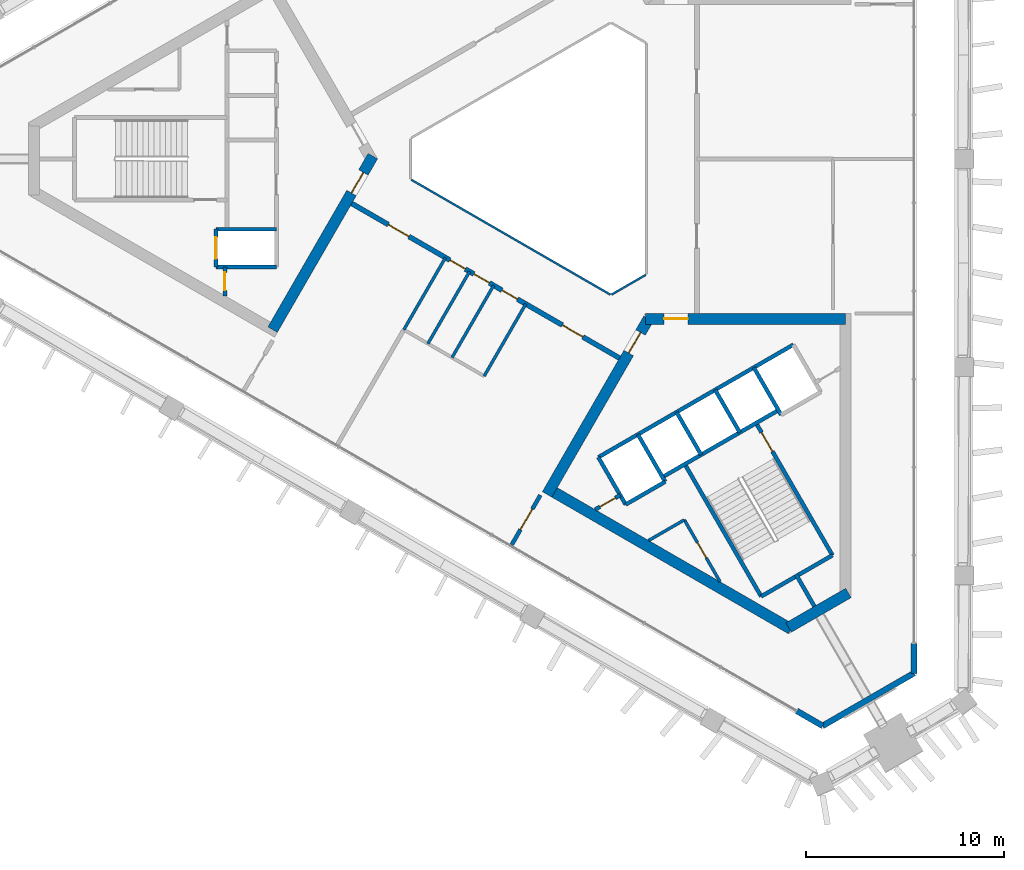
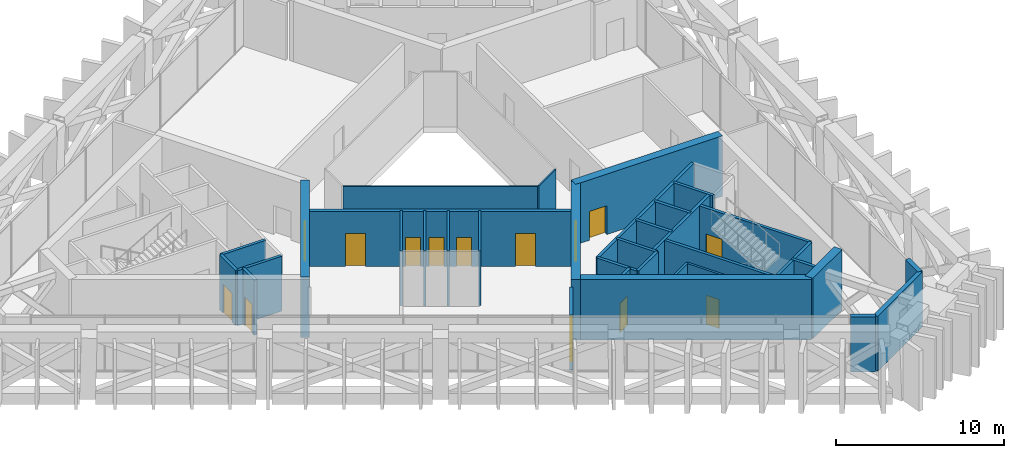
# One storey, part 10 of 15: 35 walls, 14 doors, 14 openings.
"""IFC4 building model written with IfcOpenShell, lengths in metres."""

import ifcopenshell
import ifcopenshell.guid

model = None  # the IFC model being written
_history = None  # IfcOwnerHistory: only IFC2X3 demands one
_inside = {}  # id of a spatial element -> (the spatial element, [elements in it])
_under = {}  # id of a project, library or spatial element -> (it, [spatial elements below it])
_declared = {}  # id of a project -> (the project, [libraries it declares])
_typed = {}  # id of a type object -> (the type object, [elements of that type])
_made_of = {}  # id of a material, layer set ... -> (it, [elements and type objects made of it])


def new_model(schema):
    """Start an empty IFC model of exactly this schema.

    Asked for "IFC4X3", IfcOpenShell would pick the latest addendum, in which some entities
    have other attributes; the version numbers below select the first issue.
    IFC2X3 requires an IfcOwnerHistory on every rooted entity: one is made here for all.
    """
    global model, _history
    if schema == "IFC4X3":
        model = ifcopenshell.file(schema_version=(4, 3, 0, 0))
    else:
        model = ifcopenshell.file(schema=schema)
    _inside.clear()
    _under.clear()
    _declared.clear()
    _typed.clear()
    _made_of.clear()
    _history = None
    if model.schema == "IFC2X3":
        org = make("IfcOrganization", Name="unknown")
        user = make(
            "IfcPersonAndOrganization",
            ThePerson=make("IfcPerson", FamilyName="unknown"),
            TheOrganization=org,
        )
        app = make(
            "IfcApplication",
            ApplicationDeveloper=org,
            Version="unknown",
            ApplicationFullName="unknown",
            ApplicationIdentifier="unknown",
        )
        _history = make(
            "IfcOwnerHistory",
            OwningUser=user,
            OwningApplication=app,
            ChangeAction="ADDED",
            CreationDate=0,
        )
    return model


def make(cls, **values):
    """One entity of the class cls with the attributes given. An attribute that is None is left unset."""
    return model.create_entity(
        cls, **{name: value for name, value in values.items() if value is not None}
    )


def rooted(cls, **values):
    """An entity with a GlobalId (a new one), such as an element, a storey or a relation."""
    return make(cls, GlobalId=ifcopenshell.guid.new(), OwnerHistory=_history, **values)


def si_unit(unit_type, name, prefix=None):
    """IfcSIUnit, for example si_unit("LENGTHUNIT", "METRE", prefix="MILLI")."""
    return make("IfcSIUnit", UnitType=unit_type, Prefix=prefix, Name=name)


def assignment(units):
    """IfcUnitAssignment: the units of a project."""
    return None if units is None else make("IfcUnitAssignment", Units=units)


def point(xyz):
    """IfcCartesianPoint."""
    return None if xyz is None else make("IfcCartesianPoint", Coordinates=xyz)


def direction(xyz):
    """IfcDirection."""
    return None if xyz is None else make("IfcDirection", DirectionRatios=xyz)


def frame(location, z_axis=None, x_axis=None):
    """IfcAxis2Placement3D, a coordinate frame: its origin and axes. An axis left out is left unset."""
    return make(
        "IfcAxis2Placement3D",
        Location=point(location),
        Axis=direction(z_axis),
        RefDirection=direction(x_axis),
    )


def frame_2d(location, x_axis=None):
    """IfcAxis2Placement2D, a coordinate frame in the plane: its origin and x axis."""
    return make(
        "IfcAxis2Placement2D", Location=point(location), RefDirection=direction(x_axis)
    )


def origin():
    """The frame at (0, 0, 0) with its axes left unset."""
    return frame((0.0, 0.0, 0.0))


def place(relative_to, where):
    """IfcLocalPlacement: puts the frame where relative to a parent placement (None: the world)."""
    return make(
        "IfcLocalPlacement", PlacementRelTo=relative_to, RelativePlacement=where
    )


def context(
    kind, dimensions, precision=None, world=None, true_north=None, identifier=None
):
    """IfcGeometricRepresentationContext, for example the 3D "Model" context."""
    return make(
        "IfcGeometricRepresentationContext",
        ContextIdentifier=identifier,
        ContextType=kind,
        CoordinateSpaceDimension=dimensions,
        Precision=precision,
        WorldCoordinateSystem=world,
        TrueNorth=true_north,
    )


def subcontext(parent, identifier, kind, view, scale=None):
    """IfcGeometricRepresentationSubContext, for example "Body" below "Model"."""
    return make(
        "IfcGeometricRepresentationSubContext",
        ContextIdentifier=identifier,
        ContextType=kind,
        ParentContext=parent,
        TargetScale=scale,
        TargetView=view,
    )


def project(units=None, contexts=None):
    """IfcProject with its units and contexts."""
    return rooted(
        "IfcProject",
        Name="project",
        RepresentationContexts=contexts,
        UnitsInContext=assignment(units),
    )


def spatial(cls, under=None, at=None, **own):
    """A site, building, storey or space (cls), placed at a placement, below another one or the project."""
    s = rooted(cls, ObjectPlacement=at, **own)
    if under is not None:
        _under.setdefault(under.id(), (under, []))[1].append(s)
    return s


def profile(cls, at=None, kind="AREA", **sizes):
    """A parametric profile (cls). Its sizes go by their IFC names, for example OverallWidth=200.0."""
    return make(cls, ProfileType=kind, Position=at, **sizes)


def rectangle(**sizes):
    """IfcRectangleProfileDef."""
    return profile("IfcRectangleProfileDef", **sizes)


def extrude(swept, where, along, depth):
    """IfcExtrudedAreaSolid: the profile swept, set in the frame where, extruded along a direction by depth."""
    return make(
        "IfcExtrudedAreaSolid",
        SweptArea=swept,
        Position=where,
        ExtrudedDirection=direction(along),
        Depth=depth,
    )


def shape(context_of_items, identifier, shape_type, items):
    """IfcShapeRepresentation: the items that make up one representation, for example the "Body"."""
    return make(
        "IfcShapeRepresentation",
        ContextOfItems=context_of_items,
        RepresentationIdentifier=identifier,
        RepresentationType=shape_type,
        Items=items,
    )


def material(Name=None, Category=None):
    """IfcMaterial."""
    return make("IfcMaterial", Name=Name, Category=Category)


def layer(
    of_material, thickness, ventilated=None, Name=None, Category=None, Priority=None
):
    """IfcMaterialLayer: one layer of a wall or slab, of a material (None: an air gap)."""
    return make(
        "IfcMaterialLayer",
        Material=of_material,
        LayerThickness=thickness,
        IsVentilated=ventilated,
        Name=Name,
        Category=Category,
        Priority=Priority,
    )


def layer_set(layers, Name=None):
    """IfcMaterialLayerSet."""
    return make("IfcMaterialLayerSet", MaterialLayers=layers, LayerSetName=Name)


def made_of(thing, what):
    """Note that an element or type object is made of a material, layer set ...; save() writes the relation."""
    if what is not None:
        _made_of.setdefault(what.id(), (what, []))[1].append(thing)
    return thing


def type_object(cls, material=None, **own):
    """A type object (cls), such as IfcWallType, which elements share."""
    return made_of(rooted(cls, **own), material)


def element(
    cls,
    number,
    at=None,
    inside=None,
    cuts=None,
    type_object=None,
    material=None,
    context=None,
    identifier="Body",
    shape_type=None,
    held_by="IfcProductDefinitionShape",
    body=None,
    shapes=None,
    **own,
):
    """One element of the class cls, such as IfcWall. Its Tag is "e" and its number.

    at: its placement. inside: the storey or other place that contains it. cuts: it is an
    opening in that element (IfcRelVoidsElement). A single representation is given by context,
    identifier, shape_type and body (its items); several are given by shapes. held_by: the class
    of the entity that holds the representations. save() writes the other relations.
    """
    e = rooted(cls, Tag="e%d" % number, ObjectPlacement=at, **own)
    if body is not None:
        shapes = [shape(context, identifier, shape_type, body)]
    if shapes is not None:
        e.Representation = make(held_by, Representations=shapes)
    if inside is not None:
        _inside.setdefault(inside.id(), (inside, []))[1].append(e)
    if cuts is not None:
        rooted(
            "IfcRelVoidsElement", RelatingBuildingElement=cuts, RelatedOpeningElement=e
        )
    if type_object is not None:
        _typed.setdefault(type_object.id(), (type_object, []))[1].append(e)
    return made_of(e, material)


def fill(opening, filler):
    """IfcRelFillsElement: the door or window that sits in an opening."""
    return rooted(
        "IfcRelFillsElement",
        RelatingOpeningElement=opening,
        RelatedBuildingElement=filler,
    )


def aggregate(whole, parts):
    """IfcRelAggregates: a whole, such as a stair, and the parts it consists of."""
    return rooted("IfcRelAggregates", RelatingObject=whole, RelatedObjects=parts)


def save(model, path):
    """Write the relations noted so far, then the file.

    IfcRelAggregates (storeys below a building ...), IfcRelContainedInSpatialStructure (elements
    in a storey), IfcRelDefinesByType, IfcRelAssociatesMaterial and IfcRelDeclares: one each for
    every whole, place, type object, material and project.
    """
    for whole, parts in _under.values():
        aggregate(whole, parts)
    for where, things in _inside.values():
        rooted(
            "IfcRelContainedInSpatialStructure",
            RelatedElements=things,
            RelatingStructure=where,
        )
    for kind, things in _typed.values():
        rooted("IfcRelDefinesByType", RelatedObjects=things, RelatingType=kind)
    for what, things in _made_of.values():
        rooted("IfcRelAssociatesMaterial", RelatedObjects=things, RelatingMaterial=what)
    for by, libraries in _declared.values():
        rooted("IfcRelDeclares", RelatingContext=by, RelatedDefinitions=libraries)
    model.write(path)


model = new_model("IFC4")

# Units and contexts
model_context = context("Model", 3, precision=1e-05, world=origin(), true_north=direction((0.0, 1.0)))
body_context = subcontext(model_context, "Body", "Model", "MODEL_VIEW")
ifc_project = project(units=[si_unit("LENGTHUNIT", "METRE"), si_unit("AREAUNIT", "SQUARE_METRE"), si_unit("VOLUMEUNIT", "CUBIC_METRE"), si_unit("PLANEANGLEUNIT", "RADIAN"), si_unit("MASSUNIT", "GRAM", prefix="KILO")], contexts=[model_context])

# Site, building, storey
site_placement = place(None, origin())
site = spatial("IfcSite", under=ifc_project, at=site_placement, CompositionType="ELEMENT")
building_placement = place(site_placement, origin())
building = spatial("IfcBuilding", under=site, at=building_placement, Name="Jabali Bay Hotel Tower and Convention Centre", CompositionType="ELEMENT")
storey_placement = place(building_placement, frame((0.0, 0.0, 201.39990234375)))
storey = spatial("IfcBuildingStorey", under=building, at=storey_placement, Name="L49", CompositionType="ELEMENT", Elevation=201.39990234375)

# Walls
ifc_material_1 = material(Name="Fire-resistant glazing", Category="glass")
ifc_layer_1 = layer(ifc_material_1, 0.10009765625)
ifc_layer_set_1 = layer_set([ifc_layer_1], Name="Fire-resistant glazing")
wall_type_1 = type_object("IfcWallType", Name="Atrium glazed screen 100", PredefinedType="PARTITIONING", material=ifc_layer_set_1)
wall_1_placement = place(storey_placement, frame((67.7021484375, 78.947998046875, 0.0), z_axis=(0.0, 0.0, 1.0), x_axis=(0.866026658274, -0.499997827154, 0.0)))
element("IfcWall", 1, at=wall_1_placement, inside=storey, type_object=wall_type_1, Name="Atrium screen 5 L49", PredefinedType="PARTITIONING", context=body_context, shape_type="SweptSolid", body=[
    extrude(rectangle(XDim=11.58837890625, YDim=0.10009765625, at=frame_2d((5.794189453125, 0.0))), origin(), (0.0, 0.0, 1.0), 4.0),
])
wall_2_placement = place(storey_placement, frame((77.7978515625, 73.15380859375, 0.0), z_axis=(0.0, 0.0, 1.0), x_axis=(0.866041268327, 0.499972520799, 0.0)))
element("IfcWall", 2, at=wall_2_placement, inside=storey, type_object=wall_type_1, Name="Atrium screen 6 L49", PredefinedType="PARTITIONING", context=body_context, shape_type="SweptSolid", body=[
    extrude(rectangle(XDim=2.0, YDim=0.10009765625, at=frame_2d((1.0, 0.0))), origin(), (0.0, 0.0, 1.0), 4.0),
])

# Wall, opening, door
ifc_material_2 = material(Name="Concrete C40", Category="concrete")
ifc_layer_2 = layer(ifc_material_2, 0.199951171875)
ifc_layer_set_2 = layer_set([ifc_layer_2], Name="Concrete C40")
wall_type_2 = type_object("IfcWallType", Name="Core partition wall 200", PredefinedType="PARTITIONING", material=ifc_layer_set_2)
wall_3_placement = place(storey_placement, frame((58.300048828125, 74.550048828125, 0.0), z_axis=(0.0, 0.0, 1.0), x_axis=(0.0, -1.0, 0.0)))
wall_3 = element("IfcWall", 3, at=wall_3_placement, inside=storey, type_object=wall_type_2, Name="Core wall 0.11 L49", PredefinedType="PARTITIONING", context=body_context, shape_type="SweptSolid", body=[
    extrude(rectangle(XDim=1.455078125, YDim=0.199951171875, at=frame_2d((0.7275390625, 0.0))), origin(), (0.0, 0.0, 1.0), 4.0),
])
opening_1_placement = place(wall_3_placement, frame((0.277587890625, 0.0, 0.0)))
opening_1 = element("IfcOpeningElement", 4, at=opening_1_placement, cuts=wall_3, Name="Opening D1057", PredefinedType="OPENING", context=body_context, shape_type="SweptSolid", body=[
    extrude(rectangle(XDim=0.89990234375, YDim=2.10009765625, at=frame_2d((0.449951171875, 1.050048828125))), frame((0.0, 0.1103515625, 0.0), z_axis=(0.0, -1.0, 0.0), x_axis=(1.0, 0.0, 0.0)), (0.0, 0.0, 1.0), 0.220947265625),
])
ifc_material_3 = material(Name="Fire-rated steel door", Category="steel")
door_type_1 = type_object("IfcDoorType", Name="Vestibule fire door 900 x 2100", OperationType="NOTDEFINED", PredefinedType="NOTDEFINED", material=ifc_material_3)
door_1_placement = place(opening_1_placement, origin())
door_1 = element("IfcDoor", 5, at=door_1_placement, inside=storey, type_object=door_type_1, Name="Vestibule fire door D1057", OperationType="SINGLE_SWING_LEFT", OverallHeight=2.10009765625, OverallWidth=0.89990234375, PredefinedType="NOTDEFINED", context=body_context, shape_type="SweptSolid", body=[
    extrude(rectangle(XDim=0.89990234375, YDim=2.10009765625, at=frame_2d((0.449951171875, 1.050048828125))), frame((0.0, 0.02490234375, 0.0), z_axis=(0.0, -1.0, 0.0), x_axis=(1.0, 0.0, 0.0)), (0.0, 0.0, 1.0), 0.050048828125),
])
fill(opening_1, door_1)

# Wall
wall_4_placement = place(storey_placement, frame((87.090087890625, 59.0595703125, 0.0), z_axis=(0.0, 0.0, 1.0), x_axis=(0.499951854219, -0.86605319898, 0.0)))
element("IfcWall", 6, at=wall_4_placement, inside=storey, type_object=wall_type_2, Name="Core wall 2.5 L49", PredefinedType="PARTITIONING", context=body_context, shape_type="SweptSolid", body=[
    extrude(rectangle(XDim=1.873291015625, YDim=0.199951171875, at=frame_2d((0.9365234375, 0.0))), origin(), (0.0, 0.0, 1.0), 4.0),
])

# Wall, opening, door
wall_5_placement = place(storey_placement, frame((76.969970703125, 62.315673828125, 0.0), z_axis=(0.0, 0.0, 1.0), x_axis=(0.865982457891, 0.500074377092, 0.0)))
wall_5 = element("IfcWall", 7, at=wall_5_placement, inside=storey, type_object=wall_type_2, Name="Core wall 2.11 L49", PredefinedType="PARTITIONING", context=body_context, shape_type="SweptSolid", body=[
    extrude(rectangle(XDim=1.461181640625, YDim=0.199951171875, at=frame_2d((0.73046875, 0.0))), origin(), (0.0, 0.0, 1.0), 4.0),
])
opening_2_placement = place(wall_5_placement, frame((0.280517578125, 0.0, 0.0)))
opening_2 = element("IfcOpeningElement", 8, at=opening_2_placement, cuts=wall_5, Name="Opening D1070", PredefinedType="OPENING", context=body_context, shape_type="SweptSolid", body=[
    extrude(rectangle(XDim=0.89990234375, YDim=2.10009765625, at=frame_2d((0.449951171875, 1.050048828125))), frame((0.0, 0.1103515625, 0.0), z_axis=(0.0, -1.0, 0.0), x_axis=(1.0, 0.0, 0.0)), (0.0, 0.0, 1.0), 0.220947265625),
])
door_2_placement = place(opening_2_placement, origin())
door_2 = element("IfcDoor", 9, at=door_2_placement, inside=storey, type_object=door_type_1, Name="Vestibule fire door D1070", OperationType="SINGLE_SWING_LEFT", OverallHeight=2.10009765625, OverallWidth=0.89990234375, PredefinedType="NOTDEFINED", context=body_context, shape_type="SweptSolid", body=[
    extrude(rectangle(XDim=0.89990234375, YDim=2.10009765625, at=frame_2d((0.449951171875, 1.050048828125))), frame((0.0, 0.02490234375, 0.0), z_axis=(0.0, -1.0, 0.0), x_axis=(1.0, 0.0, 0.0)), (0.0, 0.0, 1.0), 0.050048828125),
])
fill(opening_2, door_2)

ifc_material_4 = material(Name="Fire-rated board partition")
ifc_layer_3 = layer(ifc_material_4, 0.14990234375)
ifc_layer_set_3 = layer_set([ifc_layer_3], Name="Fire-rated board partition")
wall_type_3 = type_object("IfcWallType", Name="Core room partition 150", PredefinedType="PARTITIONING", material=ifc_layer_set_3)
wall_6_placement = place(storey_placement, frame((81.468994140625, 61.79541015625, 0.0), z_axis=(0.0, 0.0, 1.0), x_axis=(0.499992664208, -0.866029639064, 0.0)))
wall_6 = element("IfcWall", 10, at=wall_6_placement, inside=storey, type_object=wall_type_3, Name="Core wall 2.1 L49", PredefinedType="PARTITIONING", context=body_context, shape_type="SweptSolid", body=[
    extrude(rectangle(XDim=3.59765625, YDim=0.14990234375, at=frame_2d((1.798828125, 0.0))), origin(), (0.0, 0.0, 1.0), 4.0),
])
opening_3_placement = place(wall_6_placement, frame((1.321533203125, 0.0, 0.0)))
opening_3 = element("IfcOpeningElement", 11, at=opening_3_placement, cuts=wall_6, Name="Opening D1072", PredefinedType="OPENING", context=body_context, shape_type="SweptSolid", body=[
    extrude(rectangle(XDim=0.89990234375, YDim=2.10009765625, at=frame_2d((0.449951171875, 1.050048828125))), frame((0.0, 0.08544921875, 0.0), z_axis=(0.0, -1.0, 0.0), x_axis=(1.0, 0.0, 0.0)), (0.0, 0.0, 1.0), 0.1708984375),
])
door_type_2 = type_object("IfcDoorType", Name="Core room door 900 x 2100", OperationType="NOTDEFINED", PredefinedType="NOTDEFINED", material=ifc_material_3)
door_3_placement = place(opening_3_placement, origin())
door_3 = element("IfcDoor", 12, at=door_3_placement, inside=storey, type_object=door_type_2, Name="Core room door D1072", OperationType="SINGLE_SWING_LEFT", OverallHeight=2.10009765625, OverallWidth=0.89990234375, PredefinedType="NOTDEFINED", context=body_context, shape_type="SweptSolid", body=[
    extrude(rectangle(XDim=0.89990234375, YDim=2.10009765625, at=frame_2d((0.449951171875, 1.050048828125))), frame((0.0, 0.02490234375, 0.0), z_axis=(0.0, -1.0, 0.0), x_axis=(1.0, 0.0, 0.0)), (0.0, 0.0, 1.0), 0.050048828125),
])
fill(opening_3, door_3)

# Walls
wall_7_placement = place(storey_placement, frame((79.669921875, 60.7568359375, 0.0), z_axis=(0.0, 0.0, 1.0), x_axis=(0.866050549317, 0.49995644413, 0.0)))
element("IfcWall", 13, at=wall_7_placement, inside=storey, type_object=wall_type_3, Name="Core wall 2.16 L49", PredefinedType="PARTITIONING", context=body_context, shape_type="SweptSolid", body=[
    extrude(rectangle(XDim=2.077392578125, YDim=0.14990234375, at=frame_2d((1.03857421875, 0.0))), origin(), (0.0, 0.0, 1.0), 4.0),
])
ifc_layer_4 = layer(ifc_material_2, 0.199951171875)
ifc_layer_set_4 = layer_set([ifc_layer_4], Name="Concrete C40")
wall_type_4 = type_object("IfcWallType", Name="Core stair wall 200", PredefinedType="SOLIDWALL", material=ifc_layer_set_4)
for number, where, z_axis, x_axis, name in (
    (14, (60.89990234375, 76.449951171875, 0.0), (0.0, 0.0, 1.0), (-1.0, 0.0, 0.0), "Core wall 0.7 L49"),
    (15, (60.89990234375, 74.550048828125, 0.0), (0.0, 0.0, 1.0), (-1.0, 0.0, 0.0), "Core wall 0.8 L49"),
):
    element("IfcWall", number, at=place(storey_placement, frame(where, z_axis=z_axis, x_axis=x_axis)), inside=storey, type_object=wall_type_4, Name=name, PredefinedType="SOLIDWALL", context=body_context, shape_type="SweptSolid", body=[
        extrude(rectangle(XDim=3.0498046875, YDim=0.199951171875, at=frame_2d((1.52490234375, 0.0))), origin(), (0.0, 0.0, 1.0), 4.0),
    ])

# Wall, opening, door
wall_8_placement = place(storey_placement, frame((57.85009765625, 76.449951171875, 0.0), z_axis=(0.0, 0.0, 1.0), x_axis=(0.0, -1.0, 0.0)))
wall_8 = element("IfcWall", 16, at=wall_8_placement, inside=storey, type_object=wall_type_4, Name="Core wall 0.12 L49", PredefinedType="SOLIDWALL", context=body_context, shape_type="SweptSolid", body=[
    extrude(rectangle(XDim=1.89990234375, YDim=0.199951171875, at=frame_2d((0.949951171875, 0.0))), origin(), (0.0, 0.0, 1.0), 4.0),
])
opening_4_placement = place(wall_8_placement, frame((0.39990234375, 0.0, 0.0)))
opening_4 = element("IfcOpeningElement", 17, at=opening_4_placement, cuts=wall_8, Name="Opening LD5-L49", PredefinedType="OPENING", context=body_context, shape_type="SweptSolid", body=[
    extrude(rectangle(XDim=1.10009765625, YDim=2.10009765625, at=frame_2d((0.550048828125, 1.050048828125))), frame((0.0, 0.1103515625, 0.0), z_axis=(0.0, -1.0, 0.0), x_axis=(1.0, 0.0, 0.0)), (0.0, 0.0, 1.0), 0.220947265625),
])
ifc_material_5 = material(Name="Stainless steel landing door", Category="steel")
door_type_3 = type_object("IfcDoorType", Name="Landing door 1100 x 2100", OperationType="NOTDEFINED", PredefinedType="NOTDEFINED", material=ifc_material_5)
door_4_placement = place(opening_4_placement, origin())
door_4 = element("IfcDoor", 18, at=door_4_placement, inside=storey, type_object=door_type_3, Name="Landing doors LD5-L49", OperationType="SLIDING_TO_RIGHT", OverallHeight=2.10009765625, OverallWidth=1.10009765625, PredefinedType="NOTDEFINED", context=body_context, shape_type="SweptSolid", body=[
    extrude(rectangle(XDim=1.10009765625, YDim=2.10009765625, at=frame_2d((0.550048828125, 1.050048828125))), frame((0.0, 0.02490234375, 0.0), z_axis=(0.0, -1.0, 0.0), x_axis=(1.0, 0.0, 0.0)), (0.0, 0.0, 1.0), 0.050048828125),
])
fill(opening_4, door_4)

# Walls
for number, where, z_axis, x_axis, name in (
    (19, (77.13525390625, 64.95166015625, 0.0), (0.0, 0.0, 1.0), (0.499996545922, -0.866027397988, 0.0), "Core wall 2.0 L49"),
    (20, (79.127197265625, 66.1015625, 0.0), (0.0, 0.0, 1.0), (0.499996545922, -0.866027397988, 0.0), "Core wall 2.2 L49"),
):
    element("IfcWall", number, at=place(storey_placement, frame(where, z_axis=z_axis, x_axis=x_axis)), inside=storey, type_object=wall_type_4, Name=name, PredefinedType="SOLIDWALL", context=body_context, shape_type="SweptSolid", body=[
        extrude(rectangle(XDim=2.75, YDim=0.199951171875, at=frame_2d((1.375, 0.0))), origin(), (0.0, 0.0, 1.0), 4.0),
    ])
wall_9_placement = place(storey_placement, frame((81.492919921875, 64.603759765625, 0.0), z_axis=(0.0, 0.0, 1.0), x_axis=(0.500006057782, -0.866021906294, 0.0)))
element("IfcWall", 21, at=wall_9_placement, inside=storey, type_object=wall_type_4, Name="Core wall 2.3 L49", PredefinedType="SOLIDWALL", context=body_context, shape_type="SweptSolid", body=[
    extrude(rectangle(XDim=7.7001953125, YDim=0.199951171875, at=frame_2d((3.85009765625, 0.0))), origin(), (0.0, 0.0, 1.0), 4.0),
])
for number, where, z_axis, x_axis, name in (
    (22, (81.07568359375, 67.2265625, 0.0), (0.0, 0.0, 1.0), (0.50000366821, -0.866023285932, 0.0), "Core wall 2.4 L49"),
    (23, (83.024169921875, 68.3515625, 0.0), (0.0, 0.0, 1.0), (0.50000366821, -0.866023285932, 0.0), "Core wall 2.6 L49"),
):
    element("IfcWall", number, at=place(storey_placement, frame(where, z_axis=z_axis, x_axis=x_axis)), inside=storey, type_object=wall_type_4, Name=name, PredefinedType="SOLIDWALL", context=body_context, shape_type="SweptSolid", body=[
        extrude(rectangle(XDim=2.47998046875, YDim=0.199951171875, at=frame_2d((1.239990234375, 0.0))), origin(), (0.0, 0.0, 1.0), 4.0),
    ])

# Wall, opening, door
wall_10_placement = place(storey_placement, frame((85.0869140625, 66.6787109375, 0.0), z_axis=(0.0, 0.0, 1.0), x_axis=(0.500019787375, -0.866013979237, 0.0)))
wall_10 = element("IfcWall", 24, at=wall_10_placement, inside=storey, type_object=wall_type_4, Name="Core wall 2.7 L49", PredefinedType="SOLIDWALL", context=body_context, shape_type="SweptSolid", body=[
    extrude(rectangle(XDim=7.699951171875, YDim=0.199951171875, at=frame_2d((3.85009765625, 0.0))), origin(), (0.0, 0.0, 1.0), 4.0),
])
opening_5_placement = place(wall_10_placement, frame((0.550048828125, 0.0, 0.0)))
opening_5 = element("IfcOpeningElement", 25, at=opening_5_placement, cuts=wall_10, Name="Opening D1071", PredefinedType="OPENING", context=body_context, shape_type="SweptSolid", body=[
    extrude(rectangle(XDim=1.10009765625, YDim=2.10009765625, at=frame_2d((0.550048828125, 1.050048828125))), frame((0.0, 0.1103515625, 0.0), z_axis=(0.0, -1.0, 0.0), x_axis=(1.0, 0.0, 0.0)), (0.0, 0.0, 1.0), 0.220947265625),
])
door_type_4 = type_object("IfcDoorType", Name="Stair fire door 1100 x 2100", OperationType="NOTDEFINED", PredefinedType="NOTDEFINED", material=ifc_material_3)
door_5_placement = place(opening_5_placement, origin())
door_5 = element("IfcDoor", 26, at=door_5_placement, inside=storey, type_object=door_type_4, Name="Stair fire door D1071", OperationType="SINGLE_SWING_RIGHT", OverallHeight=2.10009765625, OverallWidth=1.10009765625, PredefinedType="NOTDEFINED", context=body_context, shape_type="SweptSolid", body=[
    extrude(rectangle(XDim=1.10009765625, YDim=2.10009765625, at=frame_2d((0.550048828125, 1.050048828125))), frame((0.0, 0.02490234375, 0.0), z_axis=(0.0, -1.0, 0.0), x_axis=(1.0, 0.0, 0.0)), (0.0, 0.0, 1.0), 0.050048828125),
])
fill(opening_5, door_5)

# Walls
wall_11_placement = place(storey_placement, frame((84.972900390625, 69.4765625, 0.0), z_axis=(0.0, 0.0, 1.0), x_axis=(0.499996545922, -0.866027397988, 0.0)))
element("IfcWall", 27, at=wall_11_placement, inside=storey, type_object=wall_type_4, Name="Core wall 2.8 L49", PredefinedType="SOLIDWALL", context=body_context, shape_type="SweptSolid", body=[
    extrude(rectangle(XDim=2.75, YDim=0.199951171875, at=frame_2d((1.375, 0.0))), origin(), (0.0, 0.0, 1.0), 4.0),
])
wall_12_placement = place(storey_placement, frame((77.13525390625, 64.95166015625, 0.0), z_axis=(0.0, 0.0, 1.0), x_axis=(0.866031916153, 0.499988720078, 0.0)))
element("IfcWall", 28, at=wall_12_placement, inside=storey, type_object=wall_type_4, Name="Core wall 2.10 L49", PredefinedType="SOLIDWALL", context=body_context, shape_type="SweptSolid", body=[
    extrude(rectangle(XDim=11.349853515625, YDim=0.199951171875, at=frame_2d((5.6748046875, 0.0))), origin(), (0.0, 0.0, 1.0), 4.0),
])
wall_13_placement = place(storey_placement, frame((80.3671875, 63.953857421875, 0.0), z_axis=(0.0, 0.0, 1.0), x_axis=(0.866026575979, 0.499997969693, 0.0)))
element("IfcWall", 29, at=wall_13_placement, inside=storey, type_object=wall_type_4, Name="Core wall 2.13 L49", PredefinedType="SOLIDWALL", context=body_context, shape_type="SweptSolid", body=[
    extrude(rectangle(XDim=6.75, YDim=0.199951171875, at=frame_2d((3.375, 0.0))), origin(), (0.0, 0.0, 1.0), 4.0),
])
wall_14_placement = place(storey_placement, frame((78.51025390625, 62.570068359375, 0.0), z_axis=(0.0, 0.0, 1.0), x_axis=(0.866053019151, 0.499952165731, 0.0)))
element("IfcWall", 30, at=wall_14_placement, inside=storey, type_object=wall_type_4, Name="Core wall 2.14 L49", PredefinedType="SOLIDWALL", context=body_context, shape_type="SweptSolid", body=[
    extrude(rectangle(XDim=2.300048828125, YDim=0.199951171875, at=frame_2d((1.14990234375, 0.0))), origin(), (0.0, 0.0, 1.0), 4.0),
])
wall_15_placement = place(storey_placement, frame((85.343017578125, 57.935302734375, 0.0), z_axis=(0.0, 0.0, 1.0), x_axis=(0.866004344652, 0.500036473714, 0.0)))
element("IfcWall", 31, at=wall_15_placement, inside=storey, type_object=wall_type_4, Name="Core wall 2.17 L49", PredefinedType="SOLIDWALL", context=body_context, shape_type="SweptSolid", body=[
    extrude(rectangle(XDim=4.150146484375, YDim=0.199951171875, at=frame_2d((2.0751953125, 0.0))), origin(), (0.0, 0.0, 1.0), 4.0),
])

# Wall, opening, door
ifc_material_6 = material(Name="Concrete C60", Category="concrete")
ifc_layer_5 = layer(ifc_material_6, 0.550048828125)
ifc_layer_set_5 = layer_set([ifc_layer_5], Name="Concrete C60")
wall_type_5 = type_object("IfcWallType", Name="Core wall 550", PredefinedType="SHEAR", material=ifc_layer_set_5)
wall_16_placement = place(storey_placement, frame((60.709228515625, 71.38623046875, 0.0), z_axis=(0.0, 0.0, 1.0), x_axis=(0.500015938302, 0.866016201606, 0.0)))
wall_16 = element("IfcWall", 32, at=wall_16_placement, inside=storey, type_object=wall_type_5, Name="Core wall 1.5 L49", PredefinedType="SHEAR", context=body_context, shape_type="SweptSolid", body=[
    extrude(rectangle(XDim=10.105224609375, YDim=0.550048828125, at=frame_2d((5.052734375, 0.0))), origin(), (0.0, 0.0, 1.0), 4.400146484375),
])
opening_6_placement = place(wall_16_placement, frame((7.955078125, 0.0, 0.0)))
opening_6 = element("IfcOpeningElement", 33, at=opening_6_placement, cuts=wall_16, Name="Opening D1053", PredefinedType="OPENING", context=body_context, shape_type="SweptSolid", body=[
    extrude(rectangle(XDim=1.199951171875, YDim=2.10009765625, at=frame_2d((0.60009765625, 1.050048828125))), frame((0.0, 0.28564453125, 0.0), z_axis=(0.0, -1.0, 0.0), x_axis=(1.0, 0.0, 0.0)), (0.0, 0.0, 1.0), 0.571044921875),
])
door_type_5 = type_object("IfcDoorType", Name="Corridor end fire door 1200 x 2100", OperationType="NOTDEFINED", PredefinedType="NOTDEFINED", material=ifc_material_3)
door_6_placement = place(opening_6_placement, origin())
door_6 = element("IfcDoor", 34, at=door_6_placement, inside=storey, type_object=door_type_5, Name="Corridor end fire door D1053", OperationType="SINGLE_SWING_LEFT", OverallHeight=2.10009765625, OverallWidth=1.199951171875, PredefinedType="NOTDEFINED", context=body_context, shape_type="SweptSolid", body=[
    extrude(rectangle(XDim=1.199951171875, YDim=2.10009765625, at=frame_2d((0.60009765625, 1.050048828125))), frame((0.0, 0.02490234375, 0.0), z_axis=(0.0, -1.0, 0.0), x_axis=(1.0, 0.0, 0.0)), (0.0, 0.0, 1.0), 0.050048828125),
])
fill(opening_6, door_6)

wall_17_placement = place(storey_placement, frame((79.65869140625, 71.9306640625, 0.0), z_axis=(0.0, 0.0, 1.0), x_axis=(-0.500000202252, -0.866025287014, 0.0)))
wall_17 = element("IfcWall", 35, at=wall_17_placement, inside=storey, type_object=wall_type_5, Name="Core wall 3.1 L49", PredefinedType="SHEAR", context=body_context, shape_type="SweptSolid", body=[
    extrude(rectangle(XDim=10.22119140625, YDim=0.550048828125, at=frame_2d((5.110595703125, 0.0))), origin(), (0.0, 0.0, 1.0), 4.400146484375),
])
opening_7_placement = place(wall_17_placement, frame((0.791259765625, 0.0, 0.0)))
opening_7 = element("IfcOpeningElement", 36, at=opening_7_placement, cuts=wall_17, Name="Opening D1067", PredefinedType="OPENING", context=body_context, shape_type="SweptSolid", body=[
    extrude(rectangle(XDim=1.199951171875, YDim=2.10009765625, at=frame_2d((0.60009765625, 1.050048828125))), frame((0.0, 0.28564453125, 0.0), z_axis=(0.0, -1.0, 0.0), x_axis=(1.0, 0.0, 0.0)), (0.0, 0.0, 1.0), 0.571044921875),
])
door_7_placement = place(opening_7_placement, origin())
door_7 = element("IfcDoor", 37, at=door_7_placement, inside=storey, type_object=door_type_5, Name="Corridor end fire door D1067", OperationType="SINGLE_SWING_RIGHT", OverallHeight=2.10009765625, OverallWidth=1.199951171875, PredefinedType="NOTDEFINED", context=body_context, shape_type="SweptSolid", body=[
    extrude(rectangle(XDim=1.199951171875, YDim=2.10009765625, at=frame_2d((0.60009765625, 1.050048828125))), frame((0.0, 0.02490234375, 0.0), z_axis=(0.0, -1.0, 0.0), x_axis=(1.0, 0.0, 0.0)), (0.0, 0.0, 1.0), 0.050048828125),
])
fill(opening_7, door_7)

# Walls
wall_18_placement = place(storey_placement, frame((74.685546875, 63.317138671875, 0.0), z_axis=(0.0, 0.0, 1.0), x_axis=(0.866024505738, -0.500001555459, 0.0)))
element("IfcWall", 38, at=wall_18_placement, inside=storey, type_object=wall_type_5, Name="Core wall 3.2 L49", PredefinedType="SHEAR", context=body_context, shape_type="SweptSolid", body=[
    extrude(rectangle(XDim=14.05859375, YDim=0.550048828125, at=frame_2d((7.029296875, 0.0))), origin(), (0.0, 0.0, 1.0), 4.400146484375),
])
wall_19_placement = place(storey_placement, frame((86.72314453125, 56.3671875, 0.0), z_axis=(0.0, 0.0, 1.0), x_axis=(0.865997833373, 0.500047750313, 0.0)))
element("IfcWall", 39, at=wall_19_placement, inside=storey, type_object=wall_type_5, Name="Core wall 3.3 L49", PredefinedType="SHEAR", context=body_context, shape_type="SweptSolid", body=[
    extrude(rectangle(XDim=3.486572265625, YDim=0.550048828125, at=frame_2d((1.7431640625, 0.0))), origin(), (0.0, 0.0, 1.0), 4.400146484375),
])

# Wall, opening, door
wall_20_placement = place(storey_placement, frame((89.60498046875, 71.9306640625, 0.0), z_axis=(0.0, 0.0, 1.0), x_axis=(-1.0, 0.0, 0.0)))
wall_20 = element("IfcWall", 40, at=wall_20_placement, inside=storey, type_object=wall_type_5, Name="Core wall 3.5 L49", PredefinedType="SHEAR", context=body_context, shape_type="SweptSolid", body=[
    extrude(rectangle(XDim=10.10498046875, YDim=0.550048828125, at=frame_2d((5.052490234375, 0.0))), origin(), (0.0, 0.0, 1.0), 4.400146484375),
])
opening_8_placement = place(wall_20_placement, frame((7.955078125, 0.0, 0.0)))
opening_8 = element("IfcOpeningElement", 41, at=opening_8_placement, cuts=wall_20, Name="Opening D1068", PredefinedType="OPENING", context=body_context, shape_type="SweptSolid", body=[
    extrude(rectangle(XDim=1.199951171875, YDim=2.10009765625, at=frame_2d((0.60009765625, 1.050048828125))), frame((0.0, 0.28564453125, 0.0), z_axis=(0.0, -1.0, 0.0), x_axis=(1.0, 0.0, 0.0)), (0.0, 0.0, 1.0), 0.571044921875),
])
door_8_placement = place(opening_8_placement, origin())
door_8 = element("IfcDoor", 42, at=door_8_placement, inside=storey, type_object=door_type_5, Name="Corridor end fire door D1068", OperationType="SINGLE_SWING_LEFT", OverallHeight=2.10009765625, OverallWidth=1.199951171875, PredefinedType="NOTDEFINED", context=body_context, shape_type="SweptSolid", body=[
    extrude(rectangle(XDim=1.199951171875, YDim=2.10009765625, at=frame_2d((0.60009765625, 1.050048828125))), frame((0.0, 0.02490234375, 0.0), z_axis=(0.0, -1.0, 0.0), x_axis=(1.0, 0.0, 0.0)), (0.0, 0.0, 1.0), 0.050048828125),
])
fill(opening_8, door_8)

# Wall, openings, doors
ifc_layer_6 = layer(ifc_material_6, 0.25)
ifc_layer_set_6 = layer_set([ifc_layer_6], Name="Concrete C60")
wall_type_6 = type_object("IfcWallType", Name="Corridor wall 250", PredefinedType="SHEAR", material=ifc_layer_set_6)
wall_21_placement = place(storey_placement, frame((64.699951171875, 77.748291015625, 0.0), z_axis=(0.0, 0.0, 1.0), x_axis=(0.866026492143, -0.499998114903, 0.0)))
wall_21 = element("IfcWall", 43, at=wall_21_placement, inside=storey, type_object=wall_type_6, Name="Corridor wall 3 L49", PredefinedType="SHEAR", context=body_context, shape_type="SweptSolid", body=[
    extrude(rectangle(XDim=15.58837890625, YDim=0.25, at=frame_2d((7.794189453125, 0.0))), origin(), (0.0, 0.0, 1.0), 4.0),
])
opening_9_placement = place(wall_21_placement, frame((2.1279296875, 0.0, 0.0)))
opening_9 = element("IfcOpeningElement", 44, at=opening_9_placement, cuts=wall_21, Name="Opening 4905", PredefinedType="OPENING", context=body_context, shape_type="SweptSolid", body=[
    extrude(rectangle(XDim=1.199951171875, YDim=2.39990234375, at=frame_2d((0.60009765625, 1.199951171875))), frame((0.0, 0.135498046875, 0.0), z_axis=(0.0, -1.0, 0.0), x_axis=(1.0, 0.0, 0.0)), (0.0, 0.0, 1.0), 0.27099609375),
])
opening_10_placement = place(wall_21_placement, frame((5.70751953125, 0.0, 0.0)))
opening_10 = element("IfcOpeningElement", 45, at=opening_10_placement, cuts=wall_21, Name="Opening 4906", PredefinedType="OPENING", context=body_context, shape_type="SweptSolid", body=[
    extrude(rectangle(XDim=0.89990234375, YDim=2.10009765625, at=frame_2d((0.449951171875, 1.050048828125))), frame((0.0, 0.135498046875, 0.0), z_axis=(0.0, -1.0, 0.0), x_axis=(1.0, 0.0, 0.0)), (0.0, 0.0, 1.0), 0.27099609375),
])
opening_11_placement = place(wall_21_placement, frame((7.1103515625, 0.0, 0.0)))
opening_11 = element("IfcOpeningElement", 46, at=opening_11_placement, cuts=wall_21, Name="Opening 4907", PredefinedType="OPENING", context=body_context, shape_type="SweptSolid", body=[
    extrude(rectangle(XDim=0.89990234375, YDim=2.10009765625, at=frame_2d((0.449951171875, 1.050048828125))), frame((0.0, 0.135498046875, 0.0), z_axis=(0.0, -1.0, 0.0), x_axis=(1.0, 0.0, 0.0)), (0.0, 0.0, 1.0), 0.27099609375),
])
opening_12_placement = place(wall_21_placement, frame((8.747314453125, 0.0, 0.0)))
opening_12 = element("IfcOpeningElement", 47, at=opening_12_placement, cuts=wall_21, Name="Opening 4908", PredefinedType="OPENING", context=body_context, shape_type="SweptSolid", body=[
    extrude(rectangle(XDim=0.89990234375, YDim=2.10009765625, at=frame_2d((0.449951171875, 1.050048828125))), frame((0.0, 0.135498046875, 0.0), z_axis=(0.0, -1.0, 0.0), x_axis=(1.0, 0.0, 0.0)), (0.0, 0.0, 1.0), 0.27099609375),
])
opening_13_placement = place(wall_21_placement, frame((12.260498046875, 0.0, 0.0)))
opening_13 = element("IfcOpeningElement", 48, at=opening_13_placement, cuts=wall_21, Name="Opening 4909", PredefinedType="OPENING", context=body_context, shape_type="SweptSolid", body=[
    extrude(rectangle(XDim=1.199951171875, YDim=2.39990234375, at=frame_2d((0.60009765625, 1.199951171875))), frame((0.0, 0.135498046875, 0.0), z_axis=(0.0, -1.0, 0.0), x_axis=(1.0, 0.0, 0.0)), (0.0, 0.0, 1.0), 0.27099609375),
])
ifc_material_7 = material(Name="Timber", Category="wood")
door_type_6 = type_object("IfcDoorType", Name="Accessible en-suite door 900 x 2100", OperationType="NOTDEFINED", PredefinedType="NOTDEFINED", material=ifc_material_7)
door_9_placement = place(opening_12_placement, origin())
door_9 = element("IfcDoor", 49, at=door_9_placement, inside=storey, type_object=door_type_6, Name="Door 4908", OperationType="SINGLE_SWING_RIGHT", OverallHeight=2.10009765625, OverallWidth=0.89990234375, PredefinedType="NOTDEFINED", context=body_context, shape_type="SweptSolid", body=[
    extrude(rectangle(XDim=0.89990234375, YDim=2.10009765625, at=frame_2d((0.449951171875, 1.050048828125))), frame((0.0, 0.02490234375, 0.0), z_axis=(0.0, -1.0, 0.0), x_axis=(1.0, 0.0, 0.0)), (0.0, 0.0, 1.0), 0.050048828125),
])
fill(opening_12, door_9)
door_type_7 = type_object("IfcDoorType", Name="Internal door 900 x 2100", OperationType="NOTDEFINED", PredefinedType="NOTDEFINED", material=ifc_material_7)
door_10_placement = place(opening_10_placement, origin())
door_10 = element("IfcDoor", 50, at=door_10_placement, inside=storey, type_object=door_type_7, Name="Door 4906", OperationType="SINGLE_SWING_LEFT", OverallHeight=2.10009765625, OverallWidth=0.89990234375, PredefinedType="NOTDEFINED", context=body_context, shape_type="SweptSolid", body=[
    extrude(rectangle(XDim=0.89990234375, YDim=2.10009765625, at=frame_2d((0.449951171875, 1.050048828125))), frame((0.0, 0.02490234375, 0.0), z_axis=(0.0, -1.0, 0.0), x_axis=(1.0, 0.0, 0.0)), (0.0, 0.0, 1.0), 0.050048828125),
])
fill(opening_10, door_10)
door_11_placement = place(opening_11_placement, origin())
door_11 = element("IfcDoor", 51, at=door_11_placement, inside=storey, type_object=door_type_7, Name="Door 4907", OperationType="SINGLE_SWING_LEFT", OverallHeight=2.10009765625, OverallWidth=0.89990234375, PredefinedType="NOTDEFINED", context=body_context, shape_type="SweptSolid", body=[
    extrude(rectangle(XDim=0.89990234375, YDim=2.10009765625, at=frame_2d((0.449951171875, 1.050048828125))), frame((0.0, 0.02490234375, 0.0), z_axis=(0.0, -1.0, 0.0), x_axis=(1.0, 0.0, 0.0)), (0.0, 0.0, 1.0), 0.050048828125),
])
fill(opening_11, door_11)
door_type_8 = type_object("IfcDoorType", Name="Public room door 1200 x 2400", OperationType="NOTDEFINED", PredefinedType="NOTDEFINED", material=ifc_material_7)
door_12_placement = place(opening_9_placement, origin())
door_12 = element("IfcDoor", 52, at=door_12_placement, inside=storey, type_object=door_type_8, Name="Door 4905", OperationType="SINGLE_SWING_LEFT", OverallHeight=2.39990234375, OverallWidth=1.199951171875, PredefinedType="NOTDEFINED", context=body_context, shape_type="SweptSolid", body=[
    extrude(rectangle(XDim=1.199951171875, YDim=2.39990234375, at=frame_2d((0.60009765625, 1.199951171875))), frame((0.0, 0.02490234375, 0.0), z_axis=(0.0, -1.0, 0.0), x_axis=(1.0, 0.0, 0.0)), (0.0, 0.0, 1.0), 0.050048828125),
])
fill(opening_9, door_12)
door_13_placement = place(opening_13_placement, origin())
door_13 = element("IfcDoor", 53, at=door_13_placement, inside=storey, type_object=door_type_8, Name="Door 4909", OperationType="SINGLE_SWING_RIGHT", OverallHeight=2.39990234375, OverallWidth=1.199951171875, PredefinedType="NOTDEFINED", context=body_context, shape_type="SweptSolid", body=[
    extrude(rectangle(XDim=1.199951171875, YDim=2.39990234375, at=frame_2d((0.60009765625, 1.199951171875))), frame((0.0, 0.02490234375, 0.0), z_axis=(0.0, -1.0, 0.0), x_axis=(1.0, 0.0, 0.0)), (0.0, 0.0, 1.0), 0.050048828125),
])
fill(opening_13, door_13)

# Walls
ifc_layer_7 = layer(ifc_material_2, 0.300048828125)
ifc_layer_set_7 = layer_set([ifc_layer_7], Name="Concrete C40")
wall_type_7 = type_object("IfcWallType", Name="External wall 300", PredefinedType="SOLIDWALL", material=ifc_layer_set_7)
wall_22_placement = place(storey_placement, frame((93.03955078125, 54.061767578125, 0.0), z_axis=(0.0, 0.0, 1.0), x_axis=(-0.866029311292, -0.499993231937, 0.0)))
element("IfcWall", 54, at=wall_22_placement, inside=storey, type_object=wall_type_7, Name="External wall south-east chamfer L49", PredefinedType="SOLIDWALL", context=body_context, shape_type="SweptSolid", body=[
    extrude(rectangle(XDim=5.30712890625, YDim=0.300048828125, at=frame_2d((2.653564453125, 0.0))), origin(), (0.0, 0.0, 1.0), 4.0),
])
for number, where, z_axis, x_axis, name in (
    (55, (93.03955078125, 55.561767578125, 0.0), (0.0, 0.0, 1.0), (0.0, -1.0, 0.0), "External wall east face L49"),
    (56, (88.443359375, 51.408203125, 0.0), (0.0, 0.0, 1.0), (-0.866031096941, 0.499990139034, 0.0), "External wall south-west face L49"),
):
    element("IfcWall", number, at=place(storey_placement, frame(where, z_axis=z_axis, x_axis=x_axis)), inside=storey, type_object=wall_type_7, Name=name, PredefinedType="SOLIDWALL", context=body_context, shape_type="SweptSolid", body=[
        extrude(rectangle(XDim=1.5, YDim=0.300048828125, at=frame_2d((0.75, 0.0))), origin(), (0.0, 0.0, 1.0), 4.0),
    ])
ifc_material_8 = material(Name="Plasterboard on steel stud", Category="steel")
ifc_layer_8 = layer(ifc_material_8, 0.14990234375)
ifc_layer_set_8 = layer_set([ifc_layer_8], Name="Plasterboard on steel stud")
wall_type_8 = type_object("IfcWallType", Name="Partition 150 wet", PredefinedType="PARTITIONING", material=ifc_layer_set_8)
for number, where, z_axis, x_axis, name in (
    (57, (67.324951171875, 71.383056640625, 0.0), (0.0, 0.0, 1.0), (0.500027713859, 0.866009402589, 0.0), "Partition P03 L49 008"),
    (58, (68.5400390625, 70.681640625, 0.0), (0.0, 0.0, 1.0), (0.49998411664, 0.866034573852, 0.0), "Partition P03 L49 011"),
):
    element("IfcWall", number, at=place(storey_placement, frame(where, z_axis=z_axis, x_axis=x_axis)), inside=storey, type_object=wall_type_8, Name=name, PredefinedType="PARTITIONING", context=body_context, shape_type="SweptSolid", body=[
        extrude(rectangle(XDim=4.199951171875, YDim=0.14990234375, at=frame_2d((2.10009765625, 0.0))), origin(), (0.0, 0.0, 1.0), 4.0),
    ])
wall_23_placement = place(storey_placement, frame((69.7548828125, 69.97998046875, 0.0), z_axis=(0.0, 0.0, 1.0), x_axis=(0.500002543286, 0.866023935413, 0.0)))
element("IfcWall", 59, at=wall_23_placement, inside=storey, type_object=wall_type_8, Name="Partition P03 L49 012", PredefinedType="PARTITIONING", context=body_context, shape_type="SweptSolid", body=[
    extrude(rectangle(XDim=4.2001953125, YDim=0.14990234375, at=frame_2d((2.10009765625, 0.0))), origin(), (0.0, 0.0, 1.0), 4.0),
])
wall_24_placement = place(storey_placement, frame((71.37548828125, 69.045654296875, 0.0), z_axis=(0.0, 0.0, 1.0), x_axis=(0.500016035621, 0.866016145416, 0.0)))
element("IfcWall", 60, at=wall_24_placement, inside=storey, type_object=wall_type_8, Name="Partition P03 L49 014", PredefinedType="PARTITIONING", context=body_context, shape_type="SweptSolid", body=[
    extrude(rectangle(XDim=4.198974609375, YDim=0.14990234375, at=frame_2d((2.099609375, 0.0))), origin(), (0.0, 0.0, 1.0), 4.0),
])

# Wall, opening, door
ifc_layer_9 = layer(ifc_material_8, 0.199951171875)
ifc_layer_set_9 = layer_set([ifc_layer_9], Name="Plasterboard on steel stud")
wall_type_9 = type_object("IfcWallType", Name="Partition 200 party", PredefinedType="PARTITIONING", material=ifc_layer_set_9)
wall_25_placement = place(storey_placement, frame((74.21044921875, 63.044189453125, 0.0), z_axis=(0.0, 0.0, 1.0), x_axis=(-0.499996306993, -0.866027535932, 0.0)))
wall_25 = element("IfcWall", 61, at=wall_25_placement, inside=storey, type_object=wall_type_9, Name="Partition P01 L49 015", PredefinedType="PARTITIONING", context=body_context, shape_type="SweptSolid", body=[
    extrude(rectangle(XDim=2.90673828125, YDim=0.199951171875, at=frame_2d((1.453369140625, 0.0))), origin(), (0.0, 0.0, 1.0), 4.0),
])
opening_14_placement = place(wall_25_placement, frame((0.805908203125, 0.0, 0.0)))
opening_14 = element("IfcOpeningElement", 62, at=opening_14_placement, cuts=wall_25, Name="Opening 4912", PredefinedType="OPENING", context=body_context, shape_type="SweptSolid", body=[
    extrude(rectangle(XDim=1.199951171875, YDim=2.39990234375, at=frame_2d((0.60009765625, 1.199951171875))), frame((0.0, 0.1103515625, 0.0), z_axis=(0.0, -1.0, 0.0), x_axis=(1.0, 0.0, 0.0)), (0.0, 0.0, 1.0), 0.220947265625),
])
door_14_placement = place(opening_14_placement, origin())
door_14 = element("IfcDoor", 63, at=door_14_placement, inside=storey, type_object=door_type_8, Name="Door 4912", OperationType="SINGLE_SWING_LEFT", OverallHeight=2.39990234375, OverallWidth=1.199951171875, PredefinedType="NOTDEFINED", context=body_context, shape_type="SweptSolid", body=[
    extrude(rectangle(XDim=1.199951171875, YDim=2.39990234375, at=frame_2d((0.60009765625, 1.199951171875))), frame((0.0, 0.02490234375, 0.0), z_axis=(0.0, -1.0, 0.0), x_axis=(1.0, 0.0, 0.0)), (0.0, 0.0, 1.0), 0.050048828125),
])
fill(opening_14, door_14)

save(model, "model.ifc")
